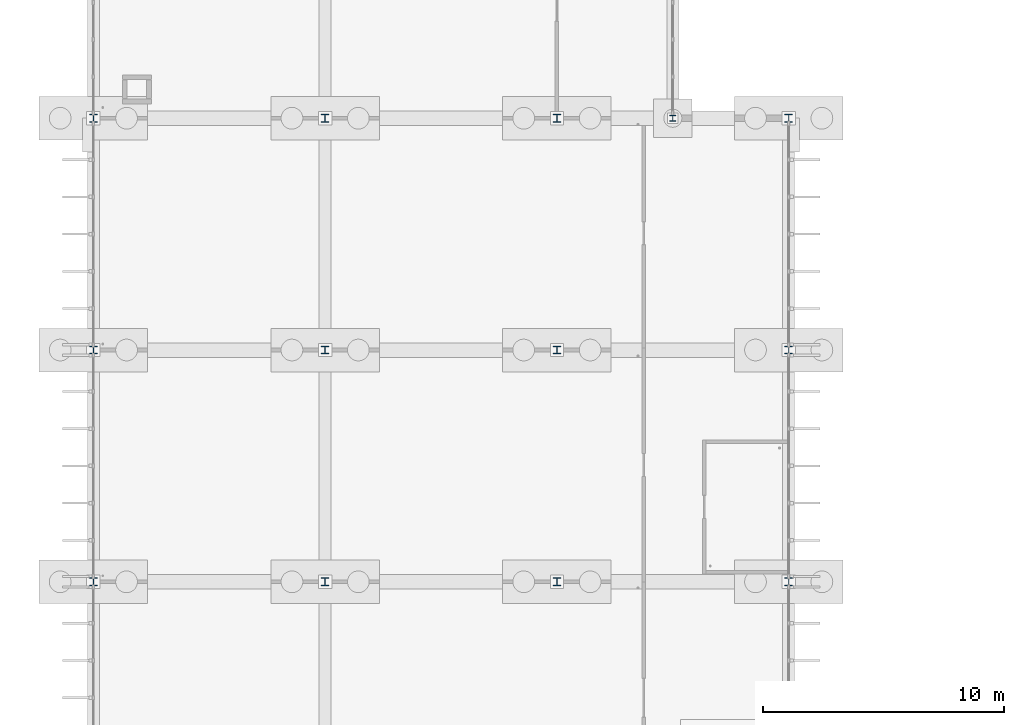
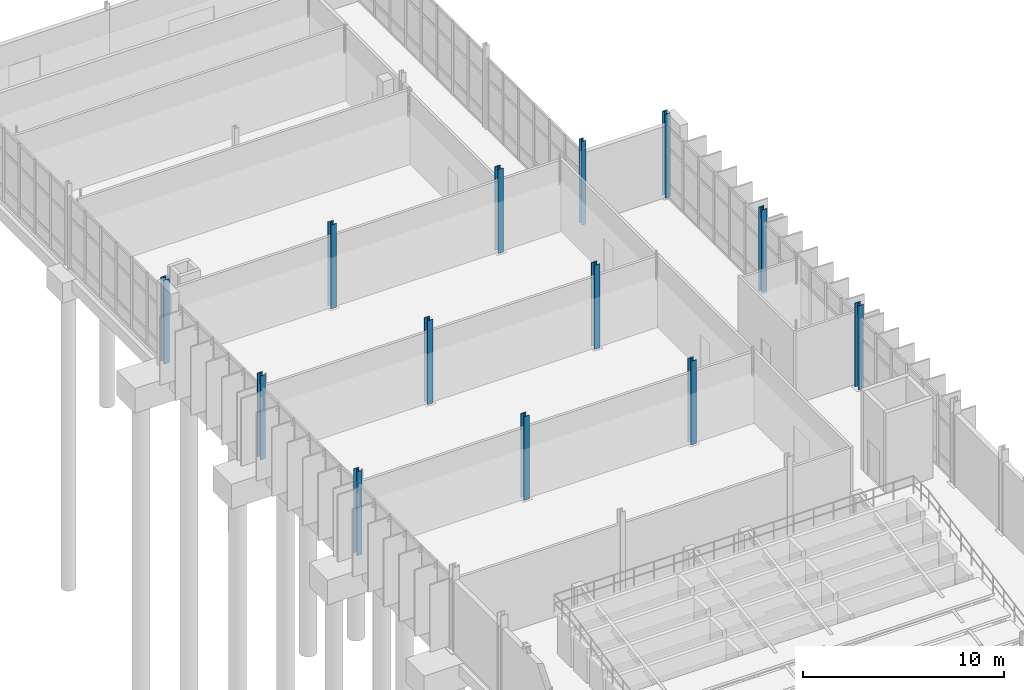
# One storey, part 16 of 111: 13 columns.
"""IFC4 building model written with IfcOpenShell, lengths in metres."""

from ifc_helpers import new_model, si_unit, direction, frame, origin, origin_2d, place, context, subcontext, project, spatial, i_section, extrude, material, material_profile, profile_set, type_object, element, save


model = new_model("IFC4")

# Units and contexts
model_context = context("Model", 3, precision=1e-05, world=origin(), true_north=direction((0.0, 1.0)))
body_context = subcontext(model_context, "Body", "Model", "MODEL_VIEW")
ifc_project = project(units=[si_unit("LENGTHUNIT", "METRE"), si_unit("AREAUNIT", "SQUARE_METRE"), si_unit("VOLUMEUNIT", "CUBIC_METRE"), si_unit("PLANEANGLEUNIT", "RADIAN"), si_unit("MASSUNIT", "GRAM", prefix="KILO")], contexts=[model_context])

# Site, building, storey
site_placement = place(None, origin())
site = spatial("IfcSite", under=ifc_project, at=site_placement, CompositionType="ELEMENT")
building_placement = place(site_placement, origin())
building = spatial("IfcBuilding", under=site, at=building_placement, Name="Dunescarp Central Library", CompositionType="ELEMENT")
storey_placement = place(building_placement, origin())
storey = spatial("IfcBuildingStorey", under=building, at=storey_placement, Name="L00", CompositionType="ELEMENT", Elevation=0.0)

# Columns
ifc_material = material(Name="Steel S355JR", Category="steel")
ifc_material_profile_1 = material_profile(ifc_material, i_section(OverallWidth=0.25634765625, OverallDepth=0.26025390625, WebThickness=0.01025390625, FlangeThickness=0.017333984375, at=origin_2d()), Name="UC 254x254x89")
ifc_profile_set_1 = profile_set([ifc_material_profile_1], Name="Steel S355JR")
column_type_1 = type_object("IfcColumnType", Name="STR-COL-UC254X89", PredefinedType="COLUMN", material=ifc_profile_set_1)
column_placement = place(storey_placement, frame((24.0, 89.60009765625, 0.0), z_axis=(0.0, 0.0, 1.0), x_axis=(1.0, 0.0, 0.0)))
element("IfcColumn", 1, at=column_placement, inside=storey, type_object=column_type_1, Name="L00 column V4NE-240-896", PredefinedType="COLUMN", context=body_context, shape_type="SweptSolid", body=[
    extrude(i_section(OverallWidth=0.25634765625, OverallDepth=0.26025390625, WebThickness=0.01025390625, FlangeThickness=0.017333984375, at=origin_2d()), origin(), (0.0, 0.0, 1.0), 5.10009765625),
])
ifc_material_profile_2 = material_profile(ifc_material, i_section(OverallWidth=0.311279296875, OverallDepth=0.3271484375, WebThickness=0.015869140625, FlangeThickness=0.02490234375, at=origin_2d()), Name="UC 305x305x158")
ifc_profile_set_2 = profile_set([ifc_material_profile_2], Name="Steel S355JR")
column_type_2 = type_object("IfcColumnType", Name="STR-COL-UC305X158", PredefinedType="COLUMN", material=ifc_profile_set_2)
for number, where, z_axis, x_axis, name in (
    (2, (0.0, 70.39990234375, 0.0), (0.0, 0.0, 1.0), (1.0, 0.0, 0.0), "L00 column V4M-0-704"),
    (3, (0.0, 80.0, 0.0), (0.0, 0.0, 1.0), (1.0, 0.0, 0.0), "L00 column V4M-0-800"),
    (4, (0.0, 89.60009765625, 0.0), (0.0, 0.0, 1.0), (1.0, 0.0, 0.0), "L00 column V4M-0-896"),
    (5, (9.60009765625, 70.39990234375, 0.0), (0.0, 0.0, 1.0), (1.0, 0.0, 0.0), "L00 column V4M-96-704"),
    (6, (9.60009765625, 80.0, 0.0), (0.0, 0.0, 1.0), (1.0, 0.0, 0.0), "L00 column V4M-96-800"),
    (7, (9.60009765625, 89.60009765625, 0.0), (0.0, 0.0, 1.0), (1.0, 0.0, 0.0), "L00 column V4M-96-896"),
    (8, (19.199951171875, 70.39990234375, 0.0), (0.0, 0.0, 1.0), (1.0, 0.0, 0.0), "L00 column V4M-192-704"),
    (9, (19.199951171875, 80.0, 0.0), (0.0, 0.0, 1.0), (1.0, 0.0, 0.0), "L00 column V4M-192-800"),
    (10, (19.199951171875, 89.60009765625, 0.0), (0.0, 0.0, 1.0), (1.0, 0.0, 0.0), "L00 column V4M-192-896"),
    (11, (28.800048828125, 70.39990234375, 0.0), (0.0, 0.0, 1.0), (1.0, 0.0, 0.0), "L00 column V4M-288-704"),
    (12, (28.800048828125, 80.0, 0.0), (0.0, 0.0, 1.0), (1.0, 0.0, 0.0), "L00 column V4M-288-800"),
    (13, (28.800048828125, 89.60009765625, 0.0), (0.0, 0.0, 1.0), (1.0, 0.0, 0.0), "L00 column V4M-288-896"),
):
    element("IfcColumn", number, at=place(storey_placement, frame(where, z_axis=z_axis, x_axis=x_axis)), inside=storey, type_object=column_type_2, Name=name, PredefinedType="COLUMN", context=body_context, shape_type="SweptSolid", body=[
        extrude(i_section(OverallWidth=0.311279296875, OverallDepth=0.3271484375, WebThickness=0.015869140625, FlangeThickness=0.02490234375, at=origin_2d()), origin(), (0.0, 0.0, 1.0), 5.10009765625),
    ])

save(model, "model.ifc")
